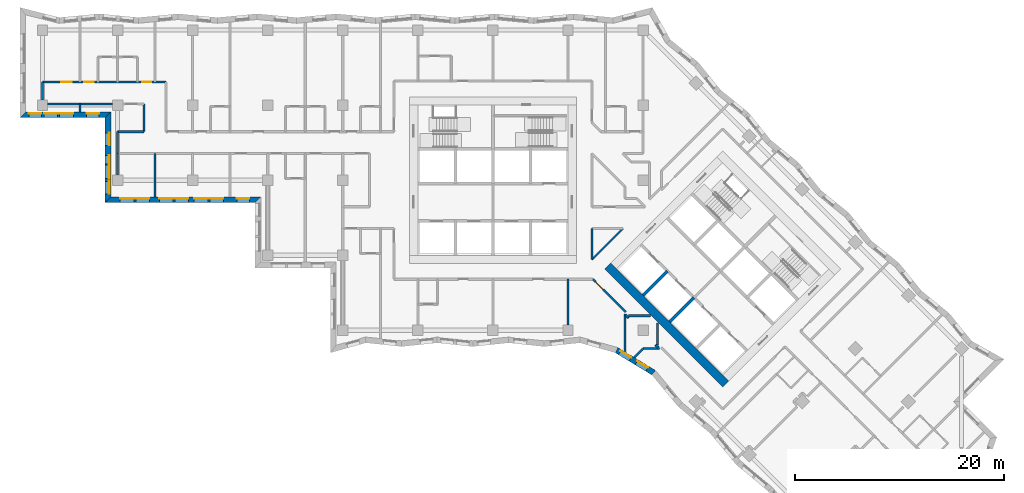
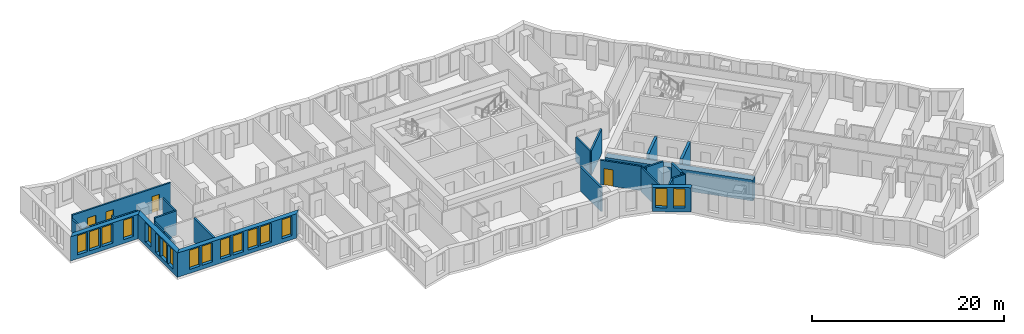
# One storey, part 3 of 12: 27 walls, 17 windows, 4 doors, 21 openings.
"""IFC4 building model written with IfcOpenShell, lengths in metres."""

import ifcopenshell
import ifcopenshell.guid

model = None  # the IFC model being written
_history = None  # IfcOwnerHistory: only IFC2X3 demands one
_inside = {}  # id of a spatial element -> (the spatial element, [elements in it])
_under = {}  # id of a project, library or spatial element -> (it, [spatial elements below it])
_declared = {}  # id of a project -> (the project, [libraries it declares])
_typed = {}  # id of a type object -> (the type object, [elements of that type])
_made_of = {}  # id of a material, layer set ... -> (it, [elements and type objects made of it])


def new_model(schema):
    """Start an empty IFC model of exactly this schema.

    Asked for "IFC4X3", IfcOpenShell would pick the latest addendum, in which some entities
    have other attributes; the version numbers below select the first issue.
    IFC2X3 requires an IfcOwnerHistory on every rooted entity: one is made here for all.
    """
    global model, _history
    if schema == "IFC4X3":
        model = ifcopenshell.file(schema_version=(4, 3, 0, 0))
    else:
        model = ifcopenshell.file(schema=schema)
    _inside.clear()
    _under.clear()
    _declared.clear()
    _typed.clear()
    _made_of.clear()
    _history = None
    if model.schema == "IFC2X3":
        org = make("IfcOrganization", Name="unknown")
        user = make(
            "IfcPersonAndOrganization",
            ThePerson=make("IfcPerson", FamilyName="unknown"),
            TheOrganization=org,
        )
        app = make(
            "IfcApplication",
            ApplicationDeveloper=org,
            Version="unknown",
            ApplicationFullName="unknown",
            ApplicationIdentifier="unknown",
        )
        _history = make(
            "IfcOwnerHistory",
            OwningUser=user,
            OwningApplication=app,
            ChangeAction="ADDED",
            CreationDate=0,
        )
    return model


def make(cls, **values):
    """One entity of the class cls with the attributes given. An attribute that is None is left unset."""
    return model.create_entity(
        cls, **{name: value for name, value in values.items() if value is not None}
    )


def rooted(cls, **values):
    """An entity with a GlobalId (a new one), such as an element, a storey or a relation."""
    return make(cls, GlobalId=ifcopenshell.guid.new(), OwnerHistory=_history, **values)


def si_unit(unit_type, name, prefix=None):
    """IfcSIUnit, for example si_unit("LENGTHUNIT", "METRE", prefix="MILLI")."""
    return make("IfcSIUnit", UnitType=unit_type, Prefix=prefix, Name=name)


def assignment(units):
    """IfcUnitAssignment: the units of a project."""
    return None if units is None else make("IfcUnitAssignment", Units=units)


def point(xyz):
    """IfcCartesianPoint."""
    return None if xyz is None else make("IfcCartesianPoint", Coordinates=xyz)


def direction(xyz):
    """IfcDirection."""
    return None if xyz is None else make("IfcDirection", DirectionRatios=xyz)


def frame(location, z_axis=None, x_axis=None):
    """IfcAxis2Placement3D, a coordinate frame: its origin and axes. An axis left out is left unset."""
    return make(
        "IfcAxis2Placement3D",
        Location=point(location),
        Axis=direction(z_axis),
        RefDirection=direction(x_axis),
    )


def frame_2d(location, x_axis=None):
    """IfcAxis2Placement2D, a coordinate frame in the plane: its origin and x axis."""
    return make(
        "IfcAxis2Placement2D", Location=point(location), RefDirection=direction(x_axis)
    )


def origin():
    """The frame at (0, 0, 0) with its axes left unset."""
    return frame((0.0, 0.0, 0.0))


def place(relative_to, where):
    """IfcLocalPlacement: puts the frame where relative to a parent placement (None: the world)."""
    return make(
        "IfcLocalPlacement", PlacementRelTo=relative_to, RelativePlacement=where
    )


def context(
    kind, dimensions, precision=None, world=None, true_north=None, identifier=None
):
    """IfcGeometricRepresentationContext, for example the 3D "Model" context."""
    return make(
        "IfcGeometricRepresentationContext",
        ContextIdentifier=identifier,
        ContextType=kind,
        CoordinateSpaceDimension=dimensions,
        Precision=precision,
        WorldCoordinateSystem=world,
        TrueNorth=true_north,
    )


def subcontext(parent, identifier, kind, view, scale=None):
    """IfcGeometricRepresentationSubContext, for example "Body" below "Model"."""
    return make(
        "IfcGeometricRepresentationSubContext",
        ContextIdentifier=identifier,
        ContextType=kind,
        ParentContext=parent,
        TargetScale=scale,
        TargetView=view,
    )


def project(units=None, contexts=None):
    """IfcProject with its units and contexts."""
    return rooted(
        "IfcProject",
        Name="project",
        RepresentationContexts=contexts,
        UnitsInContext=assignment(units),
    )


def spatial(cls, under=None, at=None, **own):
    """A site, building, storey or space (cls), placed at a placement, below another one or the project."""
    s = rooted(cls, ObjectPlacement=at, **own)
    if under is not None:
        _under.setdefault(under.id(), (under, []))[1].append(s)
    return s


def polyline(points):
    """IfcPolyline through the points."""
    return make("IfcPolyline", Points=[point(p) for p in points])


def profile(cls, at=None, kind="AREA", **sizes):
    """A parametric profile (cls). Its sizes go by their IFC names, for example OverallWidth=200.0."""
    return make(cls, ProfileType=kind, Position=at, **sizes)


def rectangle(**sizes):
    """IfcRectangleProfileDef."""
    return profile("IfcRectangleProfileDef", **sizes)


def outline(outer, holes=None, kind="AREA"):
    """IfcArbitraryClosedProfileDef: a profile drawn as a closed curve; with holes, ...WithVoids."""
    if holes is None:
        return make("IfcArbitraryClosedProfileDef", ProfileType=kind, OuterCurve=outer)
    return make(
        "IfcArbitraryProfileDefWithVoids",
        ProfileType=kind,
        OuterCurve=outer,
        InnerCurves=holes,
    )


def extrude(swept, where, along, depth):
    """IfcExtrudedAreaSolid: the profile swept, set in the frame where, extruded along a direction by depth."""
    return make(
        "IfcExtrudedAreaSolid",
        SweptArea=swept,
        Position=where,
        ExtrudedDirection=direction(along),
        Depth=depth,
    )


def shape(context_of_items, identifier, shape_type, items):
    """IfcShapeRepresentation: the items that make up one representation, for example the "Body"."""
    return make(
        "IfcShapeRepresentation",
        ContextOfItems=context_of_items,
        RepresentationIdentifier=identifier,
        RepresentationType=shape_type,
        Items=items,
    )


def material(Name=None, Category=None):
    """IfcMaterial."""
    return make("IfcMaterial", Name=Name, Category=Category)


def layer(
    of_material, thickness, ventilated=None, Name=None, Category=None, Priority=None
):
    """IfcMaterialLayer: one layer of a wall or slab, of a material (None: an air gap)."""
    return make(
        "IfcMaterialLayer",
        Material=of_material,
        LayerThickness=thickness,
        IsVentilated=ventilated,
        Name=Name,
        Category=Category,
        Priority=Priority,
    )


def layer_set(layers, Name=None):
    """IfcMaterialLayerSet."""
    return make("IfcMaterialLayerSet", MaterialLayers=layers, LayerSetName=Name)


def made_of(thing, what):
    """Note that an element or type object is made of a material, layer set ...; save() writes the relation."""
    if what is not None:
        _made_of.setdefault(what.id(), (what, []))[1].append(thing)
    return thing


def type_object(cls, material=None, **own):
    """A type object (cls), such as IfcWallType, which elements share."""
    return made_of(rooted(cls, **own), material)


def element(
    cls,
    number,
    at=None,
    inside=None,
    cuts=None,
    type_object=None,
    material=None,
    context=None,
    identifier="Body",
    shape_type=None,
    held_by="IfcProductDefinitionShape",
    body=None,
    shapes=None,
    **own,
):
    """One element of the class cls, such as IfcWall. Its Tag is "e" and its number.

    at: its placement. inside: the storey or other place that contains it. cuts: it is an
    opening in that element (IfcRelVoidsElement). A single representation is given by context,
    identifier, shape_type and body (its items); several are given by shapes. held_by: the class
    of the entity that holds the representations. save() writes the other relations.
    """
    e = rooted(cls, Tag="e%d" % number, ObjectPlacement=at, **own)
    if body is not None:
        shapes = [shape(context, identifier, shape_type, body)]
    if shapes is not None:
        e.Representation = make(held_by, Representations=shapes)
    if inside is not None:
        _inside.setdefault(inside.id(), (inside, []))[1].append(e)
    if cuts is not None:
        rooted(
            "IfcRelVoidsElement", RelatingBuildingElement=cuts, RelatedOpeningElement=e
        )
    if type_object is not None:
        _typed.setdefault(type_object.id(), (type_object, []))[1].append(e)
    return made_of(e, material)


def fill(opening, filler):
    """IfcRelFillsElement: the door or window that sits in an opening."""
    return rooted(
        "IfcRelFillsElement",
        RelatingOpeningElement=opening,
        RelatedBuildingElement=filler,
    )


def aggregate(whole, parts):
    """IfcRelAggregates: a whole, such as a stair, and the parts it consists of."""
    return rooted("IfcRelAggregates", RelatingObject=whole, RelatedObjects=parts)


def save(model, path):
    """Write the relations noted so far, then the file.

    IfcRelAggregates (storeys below a building ...), IfcRelContainedInSpatialStructure (elements
    in a storey), IfcRelDefinesByType, IfcRelAssociatesMaterial and IfcRelDeclares: one each for
    every whole, place, type object, material and project.
    """
    for whole, parts in _under.values():
        aggregate(whole, parts)
    for where, things in _inside.values():
        rooted(
            "IfcRelContainedInSpatialStructure",
            RelatedElements=things,
            RelatingStructure=where,
        )
    for kind, things in _typed.values():
        rooted("IfcRelDefinesByType", RelatedObjects=things, RelatingType=kind)
    for what, things in _made_of.values():
        rooted("IfcRelAssociatesMaterial", RelatedObjects=things, RelatingMaterial=what)
    for by, libraries in _declared.values():
        rooted("IfcRelDeclares", RelatingContext=by, RelatedDefinitions=libraries)
    model.write(path)


model = new_model("IFC4")

# Units and contexts
model_context = context("Model", 3, precision=1e-05, world=origin(), true_north=direction((0.0, 1.0)))
body_context = subcontext(model_context, "Body", "Model", "MODEL_VIEW")
ifc_project = project(units=[si_unit("LENGTHUNIT", "METRE"), si_unit("AREAUNIT", "SQUARE_METRE"), si_unit("VOLUMEUNIT", "CUBIC_METRE"), si_unit("PLANEANGLEUNIT", "RADIAN"), si_unit("MASSUNIT", "GRAM", prefix="KILO")], contexts=[model_context])

# Site, building, storey
site_placement = place(None, origin())
site = spatial("IfcSite", under=ifc_project, at=site_placement, CompositionType="ELEMENT")
building_placement = place(site_placement, origin())
building = spatial("IfcBuilding", under=site, at=building_placement, Name="Windrow Commons", CompositionType="ELEMENT")
storey_placement = place(building_placement, frame((0.0, 0.0, 88.0)))
storey = spatial("IfcBuildingStorey", under=building, at=storey_placement, Name="L23", CompositionType="ELEMENT", Elevation=88.0)

# Wall, openings, windows
ifc_material_1 = material(Name="Brick masonry, red clay brick", Category="masonry")
ifc_layer_1 = layer(ifc_material_1, 0.55)
ifc_layer_set_1 = layer_set([ifc_layer_1], Name="Brick facade wall 550")
wall_type_1 = type_object("IfcWallType", Name="Brick facade wall 550", PredefinedType="SOLIDWALL", material=ifc_layer_set_1)
wall_1_placement = place(storey_placement, frame((19.714, 63.875, 0.0), z_axis=(0.0, 0.0, 1.0), x_axis=(1.0, 0.0, 0.0)))
wall_1 = element("IfcWall", 1, at=wall_1_placement, inside=storey, type_object=wall_type_1, Name="Brick facade wall L23 38", PredefinedType="SOLIDWALL", context=body_context, shape_type="SweptSolid", body=[
    extrude(outline(polyline([(-0.275, -0.275), (7.886, -0.275), (8.436, 0.275), (0.275, 0.275), (-0.275, -0.275)])), origin(), (0.0, 0.0, 1.0), 3.1),
])
opening_1_placement = place(wall_1_placement, frame((2.036, 0.0, 0.5)))
opening_1 = element("IfcOpeningElement", 2, at=opening_1_placement, cuts=wall_1, Name="Opening W1P", PredefinedType="OPENING", context=body_context, shape_type="SweptSolid", body=[
    extrude(rectangle(XDim=1.3, YDim=2.45, at=frame_2d((0.65, 1.225))), frame((0.0, 0.285, 0.0), z_axis=(0.0, -1.0, 0.0), x_axis=(1.0, 0.0, 0.0)), (0.0, 0.0, 1.0), 0.57),
])
opening_2_placement = place(wall_1_placement, frame((3.536, 0.0, 0.5)))
opening_2 = element("IfcOpeningElement", 3, at=opening_2_placement, cuts=wall_1, Name="Opening W1P", PredefinedType="OPENING", context=body_context, shape_type="SweptSolid", body=[
    extrude(rectangle(XDim=1.3, YDim=2.45, at=frame_2d((0.65, 1.225))), frame((0.0, 0.285, 0.0), z_axis=(0.0, -1.0, 0.0), x_axis=(1.0, 0.0, 0.0)), (0.0, 0.0, 1.0), 0.57),
])
opening_3_placement = place(wall_1_placement, frame((0.5805, 0.0, 0.5)))
opening_3 = element("IfcOpeningElement", 4, at=opening_3_placement, cuts=wall_1, Name="Opening W7D", PredefinedType="OPENING", context=body_context, shape_type="SweptSolid", body=[
    extrude(rectangle(XDim=1.2, YDim=2.45, at=frame_2d((0.6, 1.225))), frame((0.0, 0.285, 0.0), z_axis=(0.0, -1.0, 0.0), x_axis=(1.0, 0.0, 0.0)), (0.0, 0.0, 1.0), 0.57),
])
opening_4_placement = place(wall_1_placement, frame((6.1235, 0.0, 0.5)))
opening_4 = element("IfcOpeningElement", 5, at=opening_4_placement, cuts=wall_1, Name="Opening W7D", PredefinedType="OPENING", context=body_context, shape_type="SweptSolid", body=[
    extrude(rectangle(XDim=1.2, YDim=2.45, at=frame_2d((0.6, 1.225))), frame((0.0, 0.285, 0.0), z_axis=(0.0, -1.0, 0.0), x_axis=(1.0, 0.0, 0.0)), (0.0, 0.0, 1.0), 0.57),
])
ifc_material_2 = material(Name="Clear float glass in anodised aluminium frame", Category="aluminium")
window_type_1 = type_object("IfcWindowType", Name="Window W1P pair 1300x2450", PartitioningType="SINGLE_PANEL", PredefinedType="WINDOW", material=ifc_material_2)
window_1_placement = place(opening_1_placement, origin())
window_1 = element("IfcWindow", 6, at=window_1_placement, inside=storey, type_object=window_type_1, Name="Window L23 38.1A", OverallHeight=2.45, OverallWidth=1.3, PartitioningType="SINGLE_PANEL", PredefinedType="WINDOW", context=body_context, shape_type="SweptSolid", body=[
    extrude(rectangle(XDim=1.3, YDim=2.45, at=frame_2d((0.65, 1.225))), frame((0.0, 0.155, 0.0), z_axis=(0.0, -1.0, 0.0), x_axis=(1.0, 0.0, 0.0)), (0.0, 0.0, 1.0), 0.06),
])
fill(opening_1, window_1)
window_2_placement = place(opening_2_placement, origin())
window_2 = element("IfcWindow", 7, at=window_2_placement, inside=storey, type_object=window_type_1, Name="Window L23 38.1B", OverallHeight=2.45, OverallWidth=1.3, PartitioningType="SINGLE_PANEL", PredefinedType="WINDOW", context=body_context, shape_type="SweptSolid", body=[
    extrude(rectangle(XDim=1.3, YDim=2.45, at=frame_2d((0.65, 1.225))), frame((0.0, 0.155, 0.0), z_axis=(0.0, -1.0, 0.0), x_axis=(1.0, 0.0, 0.0)), (0.0, 0.0, 1.0), 0.06),
])
fill(opening_2, window_2)
ifc_material_3 = material(Name="Clear float glass in anodised aluminium frame", Category="aluminium")
window_type_2 = type_object("IfcWindowType", Name="Window W7 notch 1200x2450", PartitioningType="SINGLE_PANEL", PredefinedType="WINDOW", material=ifc_material_3)
window_3_placement = place(opening_3_placement, origin())
window_3 = element("IfcWindow", 8, at=window_3_placement, inside=storey, type_object=window_type_2, Name="Window L23 38.2", OverallHeight=2.45, OverallWidth=1.2, PartitioningType="SINGLE_PANEL", PredefinedType="WINDOW", context=body_context, shape_type="SweptSolid", body=[
    extrude(rectangle(XDim=1.2, YDim=2.45, at=frame_2d((0.6, 1.225))), frame((0.0, 0.155, 0.0), z_axis=(0.0, -1.0, 0.0), x_axis=(1.0, 0.0, 0.0)), (0.0, 0.0, 1.0), 0.06),
])
fill(opening_3, window_3)
window_4_placement = place(opening_4_placement, origin())
window_4 = element("IfcWindow", 9, at=window_4_placement, inside=storey, type_object=window_type_2, Name="Window L23 38.3", OverallHeight=2.45, OverallWidth=1.2, PartitioningType="SINGLE_PANEL", PredefinedType="WINDOW", context=body_context, shape_type="SweptSolid", body=[
    extrude(rectangle(XDim=1.2, YDim=2.45, at=frame_2d((0.6, 1.225))), frame((0.0, 0.155, 0.0), z_axis=(0.0, -1.0, 0.0), x_axis=(1.0, 0.0, 0.0)), (0.0, 0.0, 1.0), 0.06),
])
fill(opening_4, window_4)

wall_2_placement = place(storey_placement, frame((27.875, 63.875, 0.0), z_axis=(0.0, 0.0, 1.0), x_axis=(0.0, -1.0, 0.0)))
wall_2 = element("IfcWall", 10, at=wall_2_placement, inside=storey, type_object=wall_type_1, Name="Brick facade wall L23 39", PredefinedType="SOLIDWALL", context=body_context, shape_type="SweptSolid", body=[
    extrude(outline(polyline([(0.275, -0.275), (8.436, -0.275), (7.886, 0.275), (-0.275, 0.275), (0.275, -0.275)])), origin(), (0.0, 0.0, 1.0), 3.1),
])
opening_5_placement = place(wall_2_placement, frame((4.825, 0.0, 0.5)))
opening_5 = element("IfcOpeningElement", 11, at=opening_5_placement, cuts=wall_2, Name="Opening W1P", PredefinedType="OPENING", context=body_context, shape_type="SweptSolid", body=[
    extrude(rectangle(XDim=1.3, YDim=2.45, at=frame_2d((0.65, 1.225))), frame((0.0, 0.285, 0.0), z_axis=(0.0, -1.0, 0.0), x_axis=(1.0, 0.0, 0.0)), (0.0, 0.0, 1.0), 0.57),
])
opening_6_placement = place(wall_2_placement, frame((1.7375, 0.0, 0.5)))
opening_6 = element("IfcOpeningElement", 12, at=opening_6_placement, cuts=wall_2, Name="Opening W7D", PredefinedType="OPENING", context=body_context, shape_type="SweptSolid", body=[
    extrude(rectangle(XDim=1.2, YDim=2.45, at=frame_2d((0.6, 1.225))), frame((0.0, 0.285, 0.0), z_axis=(0.0, -1.0, 0.0), x_axis=(1.0, 0.0, 0.0)), (0.0, 0.0, 1.0), 0.57),
])
opening_7_placement = place(wall_2_placement, frame((6.3805, 0.0, 0.5)))
opening_7 = element("IfcOpeningElement", 13, at=opening_7_placement, cuts=wall_2, Name="Opening W7D", PredefinedType="OPENING", context=body_context, shape_type="SweptSolid", body=[
    extrude(rectangle(XDim=1.2, YDim=2.45, at=frame_2d((0.6, 1.225))), frame((0.0, 0.285, 0.0), z_axis=(0.0, -1.0, 0.0), x_axis=(1.0, 0.0, 0.0)), (0.0, 0.0, 1.0), 0.57),
])
opening_8_placement = place(wall_2_placement, frame((3.9, 0.0, 0.45)))
opening_8 = element("IfcOpeningElement", 14, at=opening_8_placement, cuts=wall_2, Name="Opening W1N", PredefinedType="OPENING", context=body_context, shape_type="SweptSolid", body=[
    extrude(rectangle(XDim=0.8, YDim=2.5, at=frame_2d((0.4, 1.25))), frame((0.0, 0.285, 0.0), z_axis=(0.0, -1.0, 0.0), x_axis=(1.0, 0.0, 0.0)), (0.0, 0.0, 1.0), 0.57),
])
ifc_material_4 = material(Name="Clear float glass in anodised aluminium frame", Category="aluminium")
window_type_3 = type_object("IfcWindowType", Name="Window W1N slit 800x2500", PartitioningType="SINGLE_PANEL", PredefinedType="WINDOW", material=ifc_material_4)
window_5_placement = place(opening_8_placement, origin())
window_5 = element("IfcWindow", 15, at=window_5_placement, inside=storey, type_object=window_type_3, Name="Window L23 39.1AA", OverallHeight=2.5, OverallWidth=0.8, PartitioningType="SINGLE_PANEL", PredefinedType="WINDOW", context=body_context, shape_type="SweptSolid", body=[
    extrude(rectangle(XDim=0.8, YDim=2.5, at=frame_2d((0.4, 1.25))), frame((0.0, 0.155, 0.0), z_axis=(0.0, -1.0, 0.0), x_axis=(1.0, 0.0, 0.0)), (0.0, 0.0, 1.0), 0.06),
])
fill(opening_8, window_5)
window_6_placement = place(opening_5_placement, origin())
window_6 = element("IfcWindow", 16, at=window_6_placement, inside=storey, type_object=window_type_1, Name="Window L23 39.1B", OverallHeight=2.45, OverallWidth=1.3, PartitioningType="SINGLE_PANEL", PredefinedType="WINDOW", context=body_context, shape_type="SweptSolid", body=[
    extrude(rectangle(XDim=1.3, YDim=2.45, at=frame_2d((0.65, 1.225))), frame((0.0, 0.155, 0.0), z_axis=(0.0, -1.0, 0.0), x_axis=(1.0, 0.0, 0.0)), (0.0, 0.0, 1.0), 0.06),
])
fill(opening_5, window_6)
window_7_placement = place(opening_6_placement, origin())
window_7 = element("IfcWindow", 17, at=window_7_placement, inside=storey, type_object=window_type_2, Name="Window L23 39.2", OverallHeight=2.45, OverallWidth=1.2, PartitioningType="SINGLE_PANEL", PredefinedType="WINDOW", context=body_context, shape_type="SweptSolid", body=[
    extrude(rectangle(XDim=1.2, YDim=2.45, at=frame_2d((0.6, 1.225))), frame((0.0, 0.155, 0.0), z_axis=(0.0, -1.0, 0.0), x_axis=(1.0, 0.0, 0.0)), (0.0, 0.0, 1.0), 0.06),
])
fill(opening_6, window_7)
window_8_placement = place(opening_7_placement, origin())
window_8 = element("IfcWindow", 18, at=window_8_placement, inside=storey, type_object=window_type_2, Name="Window L23 39.3", OverallHeight=2.45, OverallWidth=1.2, PartitioningType="SINGLE_PANEL", PredefinedType="WINDOW", context=body_context, shape_type="SweptSolid", body=[
    extrude(rectangle(XDim=1.2, YDim=2.45, at=frame_2d((0.6, 1.225))), frame((0.0, 0.155, 0.0), z_axis=(0.0, -1.0, 0.0), x_axis=(1.0, 0.0, 0.0)), (0.0, 0.0, 1.0), 0.06),
])
fill(opening_7, window_8)

wall_3_placement = place(storey_placement, frame((27.875, 55.714, 0.0), z_axis=(0.0, 0.0, 1.0), x_axis=(1.0, 0.0, 0.0)))
wall_3 = element("IfcWall", 19, at=wall_3_placement, inside=storey, type_object=wall_type_1, Name="Brick facade wall L23 40", PredefinedType="SOLIDWALL", context=body_context, shape_type="SweptSolid", body=[
    extrude(outline(polyline([(-0.275, -0.275), (14.125, -0.275), (14.675, 0.275), (0.275, 0.275), (-0.275, -0.275)])), origin(), (0.0, 0.0, 1.0), 3.1),
])
opening_9_placement = place(wall_3_placement, frame((1.175, 0.0, 0.5)))
opening_9 = element("IfcOpeningElement", 20, at=opening_9_placement, cuts=wall_3, Name="Opening W1P", PredefinedType="OPENING", context=body_context, shape_type="SweptSolid", body=[
    extrude(rectangle(XDim=1.3, YDim=2.45, at=frame_2d((0.65, 1.225))), frame((0.0, 0.285, 0.0), z_axis=(0.0, -1.0, 0.0), x_axis=(1.0, 0.0, 0.0)), (0.0, 0.0, 1.0), 0.57),
])
opening_10_placement = place(wall_3_placement, frame((2.675, 0.0, 0.5)))
opening_10 = element("IfcOpeningElement", 21, at=opening_10_placement, cuts=wall_3, Name="Opening W1P", PredefinedType="OPENING", context=body_context, shape_type="SweptSolid", body=[
    extrude(rectangle(XDim=1.3, YDim=2.45, at=frame_2d((0.65, 1.225))), frame((0.0, 0.285, 0.0), z_axis=(0.0, -1.0, 0.0), x_axis=(1.0, 0.0, 0.0)), (0.0, 0.0, 1.0), 0.57),
])
opening_11_placement = place(wall_3_placement, frame((4.925, 0.0, 0.5)))
opening_11 = element("IfcOpeningElement", 22, at=opening_11_placement, cuts=wall_3, Name="Opening W1P", PredefinedType="OPENING", context=body_context, shape_type="SweptSolid", body=[
    extrude(rectangle(XDim=1.3, YDim=2.45, at=frame_2d((0.65, 1.225))), frame((0.0, 0.285, 0.0), z_axis=(0.0, -1.0, 0.0), x_axis=(1.0, 0.0, 0.0)), (0.0, 0.0, 1.0), 0.57),
])
opening_12_placement = place(wall_3_placement, frame((6.425, 0.0, 0.5)))
opening_12 = element("IfcOpeningElement", 23, at=opening_12_placement, cuts=wall_3, Name="Opening W1P", PredefinedType="OPENING", context=body_context, shape_type="SweptSolid", body=[
    extrude(rectangle(XDim=1.3, YDim=2.45, at=frame_2d((0.65, 1.225))), frame((0.0, 0.285, 0.0), z_axis=(0.0, -1.0, 0.0), x_axis=(1.0, 0.0, 0.0)), (0.0, 0.0, 1.0), 0.57),
])
opening_13_placement = place(wall_3_placement, frame((8.275, 0.0, 0.5)))
opening_13 = element("IfcOpeningElement", 24, at=opening_13_placement, cuts=wall_3, Name="Opening W1P", PredefinedType="OPENING", context=body_context, shape_type="SweptSolid", body=[
    extrude(rectangle(XDim=1.3, YDim=2.45, at=frame_2d((0.65, 1.225))), frame((0.0, 0.285, 0.0), z_axis=(0.0, -1.0, 0.0), x_axis=(1.0, 0.0, 0.0)), (0.0, 0.0, 1.0), 0.57),
])
opening_14_placement = place(wall_3_placement, frame((9.775, 0.0, 0.5)))
opening_14 = element("IfcOpeningElement", 25, at=opening_14_placement, cuts=wall_3, Name="Opening W1P", PredefinedType="OPENING", context=body_context, shape_type="SweptSolid", body=[
    extrude(rectangle(XDim=1.3, YDim=2.45, at=frame_2d((0.65, 1.225))), frame((0.0, 0.285, 0.0), z_axis=(0.0, -1.0, 0.0), x_axis=(1.0, 0.0, 0.0)), (0.0, 0.0, 1.0), 0.57),
])
opening_15_placement = place(wall_3_placement, frame((12.3625, 0.0, 0.5)))
opening_15 = element("IfcOpeningElement", 26, at=opening_15_placement, cuts=wall_3, Name="Opening W7D", PredefinedType="OPENING", context=body_context, shape_type="SweptSolid", body=[
    extrude(rectangle(XDim=1.2, YDim=2.45, at=frame_2d((0.6, 1.225))), frame((0.0, 0.285, 0.0), z_axis=(0.0, -1.0, 0.0), x_axis=(1.0, 0.0, 0.0)), (0.0, 0.0, 1.0), 0.57),
])
window_9_placement = place(opening_9_placement, origin())
window_9 = element("IfcWindow", 27, at=window_9_placement, inside=storey, type_object=window_type_1, Name="Window L23 40.1A", OverallHeight=2.45, OverallWidth=1.3, PartitioningType="SINGLE_PANEL", PredefinedType="WINDOW", context=body_context, shape_type="SweptSolid", body=[
    extrude(rectangle(XDim=1.3, YDim=2.45, at=frame_2d((0.65, 1.225))), frame((0.0, 0.155, 0.0), z_axis=(0.0, -1.0, 0.0), x_axis=(1.0, 0.0, 0.0)), (0.0, 0.0, 1.0), 0.06),
])
fill(opening_9, window_9)
window_10_placement = place(opening_10_placement, origin())
window_10 = element("IfcWindow", 28, at=window_10_placement, inside=storey, type_object=window_type_1, Name="Window L23 40.1B", OverallHeight=2.45, OverallWidth=1.3, PartitioningType="SINGLE_PANEL", PredefinedType="WINDOW", context=body_context, shape_type="SweptSolid", body=[
    extrude(rectangle(XDim=1.3, YDim=2.45, at=frame_2d((0.65, 1.225))), frame((0.0, 0.155, 0.0), z_axis=(0.0, -1.0, 0.0), x_axis=(1.0, 0.0, 0.0)), (0.0, 0.0, 1.0), 0.06),
])
fill(opening_10, window_10)
window_11_placement = place(opening_11_placement, origin())
window_11 = element("IfcWindow", 29, at=window_11_placement, inside=storey, type_object=window_type_1, Name="Window L23 40.2A", OverallHeight=2.45, OverallWidth=1.3, PartitioningType="SINGLE_PANEL", PredefinedType="WINDOW", context=body_context, shape_type="SweptSolid", body=[
    extrude(rectangle(XDim=1.3, YDim=2.45, at=frame_2d((0.65, 1.225))), frame((0.0, 0.155, 0.0), z_axis=(0.0, -1.0, 0.0), x_axis=(1.0, 0.0, 0.0)), (0.0, 0.0, 1.0), 0.06),
])
fill(opening_11, window_11)
window_12_placement = place(opening_12_placement, origin())
window_12 = element("IfcWindow", 30, at=window_12_placement, inside=storey, type_object=window_type_1, Name="Window L23 40.2B", OverallHeight=2.45, OverallWidth=1.3, PartitioningType="SINGLE_PANEL", PredefinedType="WINDOW", context=body_context, shape_type="SweptSolid", body=[
    extrude(rectangle(XDim=1.3, YDim=2.45, at=frame_2d((0.65, 1.225))), frame((0.0, 0.155, 0.0), z_axis=(0.0, -1.0, 0.0), x_axis=(1.0, 0.0, 0.0)), (0.0, 0.0, 1.0), 0.06),
])
fill(opening_12, window_12)
window_13_placement = place(opening_13_placement, origin())
window_13 = element("IfcWindow", 31, at=window_13_placement, inside=storey, type_object=window_type_1, Name="Window L23 40.3A", OverallHeight=2.45, OverallWidth=1.3, PartitioningType="SINGLE_PANEL", PredefinedType="WINDOW", context=body_context, shape_type="SweptSolid", body=[
    extrude(rectangle(XDim=1.3, YDim=2.45, at=frame_2d((0.65, 1.225))), frame((0.0, 0.155, 0.0), z_axis=(0.0, -1.0, 0.0), x_axis=(1.0, 0.0, 0.0)), (0.0, 0.0, 1.0), 0.06),
])
fill(opening_13, window_13)
window_14_placement = place(opening_14_placement, origin())
window_14 = element("IfcWindow", 32, at=window_14_placement, inside=storey, type_object=window_type_1, Name="Window L23 40.3B", OverallHeight=2.45, OverallWidth=1.3, PartitioningType="SINGLE_PANEL", PredefinedType="WINDOW", context=body_context, shape_type="SweptSolid", body=[
    extrude(rectangle(XDim=1.3, YDim=2.45, at=frame_2d((0.65, 1.225))), frame((0.0, 0.155, 0.0), z_axis=(0.0, -1.0, 0.0), x_axis=(1.0, 0.0, 0.0)), (0.0, 0.0, 1.0), 0.06),
])
fill(opening_14, window_14)
window_15_placement = place(opening_15_placement, origin())
window_15 = element("IfcWindow", 33, at=window_15_placement, inside=storey, type_object=window_type_2, Name="Window L23 40.4", OverallHeight=2.45, OverallWidth=1.2, PartitioningType="SINGLE_PANEL", PredefinedType="WINDOW", context=body_context, shape_type="SweptSolid", body=[
    extrude(rectangle(XDim=1.2, YDim=2.45, at=frame_2d((0.6, 1.225))), frame((0.0, 0.155, 0.0), z_axis=(0.0, -1.0, 0.0), x_axis=(1.0, 0.0, 0.0)), (0.0, 0.0, 1.0), 0.06),
])
fill(opening_15, window_15)

wall_4_placement = place(storey_placement, frame((76.6686, 41.2935, 0.0), z_axis=(0.0, 0.0, 1.0), x_axis=(0.8543182431, -0.5197502664, 0.0)))
wall_4 = element("IfcWall", 34, at=wall_4_placement, inside=storey, type_object=wall_type_1, Name="Brick facade wall L23 52", PredefinedType="SOLIDWALL", context=body_context, shape_type="SweptSolid", body=[
    extrude(outline(polyline([(0.0377, -0.275), (4.1, -0.275), (4.1916, 0.275), (-0.0377, 0.275), (0.0377, -0.275)])), origin(), (0.0, 0.0, 1.0), 3.1),
])
opening_16_placement = place(wall_4_placement, frame((0.3631, 0.0, 0.5)))
opening_16 = element("IfcOpeningElement", 35, at=opening_16_placement, cuts=wall_4, Name="Opening W7D", PredefinedType="OPENING", context=body_context, shape_type="SweptSolid", body=[
    extrude(rectangle(XDim=1.2, YDim=2.45, at=frame_2d((0.6, 1.225))), frame((0.0, 0.285, 0.0), z_axis=(0.0, -1.0, 0.0), x_axis=(1.0, 0.0, 0.0)), (0.0, 0.0, 1.0), 0.57),
])
opening_17_placement = place(wall_4_placement, frame((2.236, 0.0, 0.5)))
opening_17 = element("IfcOpeningElement", 36, at=opening_17_placement, cuts=wall_4, Name="Opening W7D", PredefinedType="OPENING", context=body_context, shape_type="SweptSolid", body=[
    extrude(rectangle(XDim=1.2, YDim=2.45, at=frame_2d((0.6, 1.225))), frame((0.0, 0.285, 0.0), z_axis=(0.0, -1.0, 0.0), x_axis=(1.0, 0.0, 0.0)), (0.0, 0.0, 1.0), 0.57),
])
window_16_placement = place(opening_16_placement, origin())
window_16 = element("IfcWindow", 37, at=window_16_placement, inside=storey, type_object=window_type_2, Name="Window L23 52.1", OverallHeight=2.45, OverallWidth=1.2, PartitioningType="SINGLE_PANEL", PredefinedType="WINDOW", context=body_context, shape_type="SweptSolid", body=[
    extrude(rectangle(XDim=1.2, YDim=2.45, at=frame_2d((0.6, 1.225))), frame((0.0, 0.155, 0.0), z_axis=(0.0, -1.0, 0.0), x_axis=(1.0, 0.0, 0.0)), (0.0, 0.0, 1.0), 0.06),
])
fill(opening_16, window_16)
window_17_placement = place(opening_17_placement, origin())
window_17 = element("IfcWindow", 38, at=window_17_placement, inside=storey, type_object=window_type_2, Name="Window L23 52.2", OverallHeight=2.45, OverallWidth=1.2, PartitioningType="SINGLE_PANEL", PredefinedType="WINDOW", context=body_context, shape_type="SweptSolid", body=[
    extrude(rectangle(XDim=1.2, YDim=2.45, at=frame_2d((0.6, 1.225))), frame((0.0, 0.155, 0.0), z_axis=(0.0, -1.0, 0.0), x_axis=(1.0, 0.0, 0.0)), (0.0, 0.0, 1.0), 0.06),
])
fill(opening_17, window_17)

# Wall, openings, doors
ifc_material_5 = material(Name="Blockwork partition", Category="masonry")
ifc_layer_2 = layer(ifc_material_5, 0.2)
ifc_layer_set_2 = layer_set([ifc_layer_2], Name="IW-CORRIDOR-200")
wall_type_2 = type_object("IfcWallType", Name="IW-CORRIDOR-200", PredefinedType="PARTITIONING", material=ifc_layer_set_2)
wall_5_placement = place(storey_placement, frame((21.602, 67.0, 0.0), z_axis=(0.0, 0.0, 1.0), x_axis=(1.0, 0.0, 0.0)))
wall_5 = element("IfcWall", 39, at=wall_5_placement, inside=storey, type_object=wall_type_2, Name="W-L23-W005", PredefinedType="PARTITIONING", context=body_context, shape_type="SweptSolid", body=[
    extrude(rectangle(XDim=11.848, YDim=0.2, at=frame_2d((5.924, 0.0))), origin(), (0.0, 0.0, 1.0), 3.1),
])
opening_18_placement = place(wall_5_placement, frame((1.7907, 0.0, 0.0)))
opening_18 = element("IfcOpeningElement", 40, at=opening_18_placement, cuts=wall_5, Name="Opening D310F", PredefinedType="OPENING", context=body_context, shape_type="SweptSolid", body=[
    extrude(rectangle(XDim=1.0, YDim=2.1, at=frame_2d((0.5, 1.05))), frame((0.0, 0.11, 0.0), z_axis=(0.0, -1.0, 0.0), x_axis=(1.0, 0.0, 0.0)), (0.0, 0.0, 1.0), 0.22),
])
opening_19_placement = place(wall_5_placement, frame((3.998, 0.0, 0.0)))
opening_19 = element("IfcOpeningElement", 41, at=opening_19_placement, cuts=wall_5, Name="Opening D109S", PredefinedType="OPENING", context=body_context, shape_type="SweptSolid", body=[
    extrude(rectangle(XDim=0.9, YDim=2.1, at=frame_2d((0.45, 1.05))), frame((0.0, 0.11, 0.0), z_axis=(0.0, -1.0, 0.0), x_axis=(1.0, 0.0, 0.0)), (0.0, 0.0, 1.0), 0.22),
])
opening_20_placement = place(wall_5_placement, frame((9.548, 0.0, 0.0)))
opening_20 = element("IfcOpeningElement", 42, at=opening_20_placement, cuts=wall_5, Name="Opening D109S", PredefinedType="OPENING", context=body_context, shape_type="SweptSolid", body=[
    extrude(rectangle(XDim=0.9, YDim=2.1, at=frame_2d((0.45, 1.05))), frame((0.0, 0.11, 0.0), z_axis=(0.0, -1.0, 0.0), x_axis=(1.0, 0.0, 0.0)), (0.0, 0.0, 1.0), 0.22),
])
ifc_material_6 = material(Name="Timber door leaf", Category="wood")
door_type_1 = type_object("IfcDoorType", Name="DT-AMENITY-1000", OperationType="SINGLE_SWING_LEFT", PredefinedType="DOOR", material=ifc_material_6)
door_1_placement = place(opening_18_placement, origin())
door_1 = element("IfcDoor", 43, at=door_1_placement, inside=storey, type_object=door_type_1, Name="D-L23-D000", OperationType="SINGLE_SWING_RIGHT", OverallHeight=2.1, OverallWidth=1.0, PredefinedType="DOOR", context=body_context, shape_type="SweptSolid", body=[
    extrude(rectangle(XDim=1.0, YDim=2.1, at=frame_2d((0.5, 1.05))), frame((0.0, 0.025, 0.0), z_axis=(0.0, -1.0, 0.0), x_axis=(1.0, 0.0, 0.0)), (0.0, 0.0, 1.0), 0.05),
])
fill(opening_18, door_1)
ifc_material_7 = material(Name="Timber door leaf", Category="wood")
door_type_2 = type_object("IfcDoorType", Name="DT-BEDROOM-900", OperationType="SINGLE_SWING_LEFT", PredefinedType="DOOR", material=ifc_material_7)
door_2_placement = place(opening_19_placement, origin())
door_2 = element("IfcDoor", 44, at=door_2_placement, inside=storey, type_object=door_type_2, Name="D-L23-D002", OperationType="SINGLE_SWING_LEFT", OverallHeight=2.1, OverallWidth=0.9, PredefinedType="DOOR", context=body_context, shape_type="SweptSolid", body=[
    extrude(rectangle(XDim=0.9, YDim=2.1, at=frame_2d((0.45, 1.05))), frame((0.0, 0.025, 0.0), z_axis=(0.0, -1.0, 0.0), x_axis=(1.0, 0.0, 0.0)), (0.0, 0.0, 1.0), 0.05),
])
fill(opening_19, door_2)
door_3_placement = place(opening_20_placement, origin())
door_3 = element("IfcDoor", 45, at=door_3_placement, inside=storey, type_object=door_type_2, Name="D-L23-D004", OperationType="SINGLE_SWING_RIGHT", OverallHeight=2.1, OverallWidth=0.9, PredefinedType="DOOR", context=body_context, shape_type="SweptSolid", body=[
    extrude(rectangle(XDim=0.9, YDim=2.1, at=frame_2d((0.45, 1.05))), frame((0.0, 0.025, 0.0), z_axis=(0.0, -1.0, 0.0), x_axis=(1.0, 0.0, 0.0)), (0.0, 0.0, 1.0), 0.05),
])
fill(opening_20, door_3)

# Wall
wall_6_placement = place(storey_placement, frame((22.1, 64.9, 0.0), z_axis=(0.0, 0.0, 1.0), x_axis=(1.0, 0.0, 0.0)))
element("IfcWall", 46, at=wall_6_placement, inside=storey, type_object=wall_type_2, Name="W-L23-W027", PredefinedType="PARTITIONING", context=body_context, shape_type="SweptSolid", body=[
    extrude(rectangle(XDim=6.2, YDim=0.2, at=frame_2d((3.1, 0.0))), origin(), (0.0, 0.0, 1.0), 2.6),
])

# Wall, opening, door
wall_7_placement = place(storey_placement, frame((74.3885, 48.0965, 0.0), z_axis=(0.0, 0.0, 1.0), x_axis=(0.7071067812, -0.7071067812, 0.0)))
wall_7 = element("IfcWall", 47, at=wall_7_placement, inside=storey, type_object=wall_type_2, Name="W-L23-W043", PredefinedType="PARTITIONING", context=body_context, shape_type="SweptSolid", body=[
    extrude(rectangle(XDim=4.4519, YDim=0.2, at=frame_2d((2.226, 0.0))), origin(), (0.0, 0.0, 1.0), 3.1),
])
opening_21_placement = place(wall_7_placement, frame((0.3818, 0.0, 0.0)))
opening_21 = element("IfcOpeningElement", 48, at=opening_21_placement, cuts=wall_7, Name="Opening D310F", PredefinedType="OPENING", context=body_context, shape_type="SweptSolid", body=[
    extrude(rectangle(XDim=1.0, YDim=2.1, at=frame_2d((0.5, 1.05))), frame((0.0, 0.11, 0.0), z_axis=(0.0, -1.0, 0.0), x_axis=(1.0, 0.0, 0.0)), (0.0, 0.0, 1.0), 0.22),
])
door_4_placement = place(opening_21_placement, origin())
door_4 = element("IfcDoor", 49, at=door_4_placement, inside=storey, type_object=door_type_1, Name="D-L23-D037", OperationType="SINGLE_SWING_LEFT", OverallHeight=2.1, OverallWidth=1.0, PredefinedType="DOOR", context=body_context, shape_type="SweptSolid", body=[
    extrude(rectangle(XDim=1.0, YDim=2.1, at=frame_2d((0.5, 1.05))), frame((0.0, 0.025, 0.0), z_axis=(0.0, -1.0, 0.0), x_axis=(1.0, 0.0, 0.0)), (0.0, 0.0, 1.0), 0.05),
])
fill(opening_21, door_4)

# Walls
wall_8_placement = place(storey_placement, frame((74.3012, 49.9908, 0.0), z_axis=(0.0, 0.0, 1.0), x_axis=(0.7071067812, 0.7071067812, 0.0)))
element("IfcWall", 50, at=wall_8_placement, inside=storey, type_object=wall_type_2, Name="W-L23-W049", PredefinedType="PARTITIONING", context=body_context, shape_type="SweptSolid", body=[
    extrude(rectangle(XDim=4.1832, YDim=0.2, at=frame_2d((2.0916, 0.0))), origin(), (0.0, 0.0, 1.0), 3.1),
])
wall_9_placement = place(storey_placement, frame((74.3, 49.99, 0.0), z_axis=(0.0, 0.0, 1.0), x_axis=(0.0, 1.0, 0.0)))
element("IfcWall", 51, at=wall_9_placement, inside=storey, type_object=wall_type_2, Name="W-L23-W064", PredefinedType="PARTITIONING", context=body_context, shape_type="SweptSolid", body=[
    extrude(rectangle(XDim=2.96, YDim=0.2, at=frame_2d((1.48, 0.0))), origin(), (0.0, 0.0, 1.0), 3.1),
])
wall_10_placement = place(storey_placement, frame((31.35, 62.252, 0.0), z_axis=(0.0, 0.0, 1.0), x_axis=(0.0, 1.0, 0.0)))
element("IfcWall", 52, at=wall_10_placement, inside=storey, type_object=wall_type_2, Name="W-L23-W066", PredefinedType="PARTITIONING", context=body_context, shape_type="SweptSolid", body=[
    extrude(rectangle(XDim=2.646, YDim=0.2, at=frame_2d((1.323, 0.0))), origin(), (0.0, 0.0, 1.0), 3.1),
])
wall_11_placement = place(storey_placement, frame((28.802, 62.25, 0.0), z_axis=(0.0, 0.0, 1.0), x_axis=(1.0, 0.0, 0.0)))
element("IfcWall", 53, at=wall_11_placement, inside=storey, type_object=wall_type_2, Name="W-L23-W068", PredefinedType="PARTITIONING", context=body_context, shape_type="SweptSolid", body=[
    extrude(rectangle(XDim=2.546, YDim=0.2, at=frame_2d((1.273, 0.0))), origin(), (0.0, 0.0, 1.0), 3.1),
])
wall_12_placement = place(storey_placement, frame((28.8, 60.15, 0.0), z_axis=(0.0, 0.0, 1.0), x_axis=(0.0, 1.0, 0.0)))
element("IfcWall", 54, at=wall_12_placement, inside=storey, type_object=wall_type_2, Name="W-L23-W102", PredefinedType="PARTITIONING", context=body_context, shape_type="SweptSolid", body=[
    extrude(rectangle(XDim=2.1, YDim=0.2, at=frame_2d((1.05, 0.0))), origin(), (0.0, 0.0, 1.0), 2.6),
])
for number, where, z_axis, x_axis, name in (
    (55, (77.802, 44.6, 0.0), (0.0, 0.0, 1.0), (1.0, 0.0, 0.0), "W-L23-W106"),
    (56, (80.6, 41.802, 0.0), (0.0, 0.0, 1.0), (0.0, 1.0, 0.0), "W-L23-W107"),
):
    element("IfcWall", number, at=place(storey_placement, frame(where, z_axis=z_axis, x_axis=x_axis)), inside=storey, type_object=wall_type_2, Name=name, PredefinedType="PARTITIONING", context=body_context, shape_type="SweptSolid", body=[
        extrude(rectangle(XDim=2.098, YDim=0.2, at=frame_2d((1.049, 0.0))), origin(), (0.0, 0.0, 1.0), 3.1),
    ])
wall_13_placement = place(storey_placement, frame((21.6, 65.3, 0.0), z_axis=(0.0, 0.0, 1.0), x_axis=(0.0, 1.0, 0.0)))
element("IfcWall", 57, at=wall_13_placement, inside=storey, type_object=wall_type_2, Name="W-L23-W141", PredefinedType="PARTITIONING", context=body_context, shape_type="SweptSolid", body=[
    extrude(rectangle(XDim=1.698, YDim=0.2, at=frame_2d((0.849, 0.0))), origin(), (0.0, 0.0, 1.0), 2.6),
])
for number, where, z_axis, x_axis, name in (
    (58, (77.5461, 44.6561, 0.0), (0.0, 0.0, 1.0), (0.7071067812, -0.7071067812, 0.0), "W-L23-W175"),
    (59, (80.4051, 41.7971, 0.0), (0.0, 0.0, 1.0), (0.7071067812, -0.7071067812, 0.0), "W-L23-W176"),
):
    element("IfcWall", number, at=place(storey_placement, frame(where, z_axis=z_axis, x_axis=x_axis)), inside=storey, type_object=wall_type_2, Name=name, PredefinedType="PARTITIONING", context=body_context, shape_type="SweptSolid", body=[
        extrude(rectangle(XDim=0.355, YDim=0.2, at=frame_2d((0.1775, 0.0))), origin(), (0.0, 0.0, 1.0), 3.1),
    ])
ifc_material_8 = material(Name="Blockwork partition", Category="masonry")
ifc_layer_3 = layer(ifc_material_8, 0.2)
ifc_layer_set_3 = layer_set([ifc_layer_3], Name="IW-PARTY-200")
wall_type_3 = type_object("IfcWallType", Name="IW-PARTY-200", PredefinedType="PARTITIONING", material=ifc_layer_set_3)
wall_14_placement = place(storey_placement, frame((72.0, 43.7, 0.0), z_axis=(0.0, 0.0, 1.0), x_axis=(0.0, 1.0, 0.0)))
element("IfcWall", 60, at=wall_14_placement, inside=storey, type_object=wall_type_3, Name="W-L23-W048", PredefinedType="PARTITIONING", context=body_context, shape_type="SweptSolid", body=[
    extrude(rectangle(XDim=4.4, YDim=0.2, at=frame_2d((2.2, 0.0))), origin(), (0.0, 0.0, 1.0), 3.1),
])
wall_15_placement = place(storey_placement, frame((32.4, 55.989, 0.0), z_axis=(0.0, 0.0, 1.0), x_axis=(0.0, 1.0, 0.0)))
element("IfcWall", 61, at=wall_15_placement, inside=storey, type_object=wall_type_3, Name="W-L23-W050", PredefinedType="PARTITIONING", context=body_context, shape_type="SweptSolid", body=[
    extrude(rectangle(XDim=4.161, YDim=0.2, at=frame_2d((2.0805, 0.0))), origin(), (0.0, 0.0, 1.0), 3.1),
])
wall_16_placement = place(storey_placement, frame((77.45, 41.14, 0.0), z_axis=(0.0, 0.0, 1.0), x_axis=(0.0, 1.0, 0.0)))
element("IfcWall", 62, at=wall_16_placement, inside=storey, type_object=wall_type_3, Name="W-L23-W060", PredefinedType="PARTITIONING", context=body_context, shape_type="SweptSolid", body=[
    extrude(rectangle(XDim=3.618, YDim=0.2, at=frame_2d((1.809, 0.0))), origin(), (0.0, 0.0, 1.0), 3.1),
])
wall_17_placement = place(storey_placement, frame((28.8, 58.1, 0.0), z_axis=(0.0, 0.0, 1.0), x_axis=(0.0, 1.0, 0.0)))
element("IfcWall", 63, at=wall_17_placement, inside=storey, type_object=wall_type_3, Name="W-L23-W110", PredefinedType="PARTITIONING", context=body_context, shape_type="SweptSolid", body=[
    extrude(rectangle(XDim=2.05, YDim=0.2, at=frame_2d((1.025, 0.0))), origin(), (0.0, 0.0, 1.0), 2.6),
])
wall_18_placement = place(storey_placement, frame((79.198, 41.45, 0.0), z_axis=(0.0, 0.0, 1.0), x_axis=(1.0, 0.0, 0.0)))
element("IfcWall", 64, at=wall_18_placement, inside=storey, type_object=wall_type_3, Name="W-L23-W143", PredefinedType="PARTITIONING", context=body_context, shape_type="SweptSolid", body=[
    extrude(rectangle(XDim=1.56, YDim=0.2, at=frame_2d((0.78, 0.0))), origin(), (0.0, 0.0, 1.0), 3.1),
])
wall_19_placement = place(storey_placement, frame((78.3424, 40.5971, 0.0), z_axis=(0.0, 0.0, 1.0), x_axis=(0.7071482161, 0.7070653439, 0.0)))
element("IfcWall", 65, at=wall_19_placement, inside=storey, type_object=wall_type_3, Name="W-L23-W149", PredefinedType="PARTITIONING", context=body_context, shape_type="SweptSolid", body=[
    extrude(rectangle(XDim=1.2067, YDim=0.2, at=frame_2d((0.6034, 0.0))), origin(), (0.0, 0.0, 1.0), 3.1),
])
wall_20_placement = place(storey_placement, frame((25.2, 64.15, 0.0), z_axis=(0.0, 0.0, 1.0), x_axis=(0.0, 1.0, 0.0)))
element("IfcWall", 66, at=wall_20_placement, inside=storey, type_object=wall_type_3, Name="W-L23-W157", PredefinedType="PARTITIONING", context=body_context, shape_type="SweptSolid", body=[
    extrude(rectangle(XDim=0.75, YDim=0.2, at=frame_2d((0.375, 0.0))), origin(), (0.0, 0.0, 1.0), 3.1),
])
ifc_material_9 = material(Name="Concrete C50/60", Category="concrete")
ifc_layer_4 = layer(ifc_material_9, 0.8)
ifc_layer_set_4 = layer_set([ifc_layer_4], Name="RC CORE WALL 800 C50/60")
wall_type_4 = type_object("IfcWallType", Name="RC CORE WALL 800 C50/60", PredefinedType="SHEAR", material=ifc_layer_set_4)
wall_21_placement = place(storey_placement, frame((75.8059, 49.3726, -0.3), z_axis=(0.0, 0.0, 1.0), x_axis=(0.7071067812, -0.7071067812, 0.0)))
element("IfcWall", 67, at=wall_21_placement, inside=storey, type_object=wall_type_4, Name="Core B wall outer-S", PredefinedType="SHEAR", context=body_context, shape_type="SweptSolid", body=[
    extrude(rectangle(XDim=16.0, YDim=0.8, at=frame_2d((8.0, 0.0))), origin(), (0.0, 0.0, 1.0), 2.7),
])
ifc_material_10 = material(Name="Concrete C50/60", Category="concrete")
ifc_layer_5 = layer(ifc_material_10, 0.3)
ifc_layer_set_5 = layer_set([ifc_layer_5], Name="RC SHAFT WALL 300 C50/60")
wall_type_5 = type_object("IfcWallType", Name="RC SHAFT WALL 300 C50/60", PredefinedType="SOLIDWALL", material=ifc_layer_set_5)
wall_22_placement = place(storey_placement, frame((79.2, 46.5442, 0.0), z_axis=(0.0, 0.0, 1.0), x_axis=(0.7071219326, 0.7070916295, 0.0)))
element("IfcWall", 68, at=wall_22_placement, inside=storey, type_object=wall_type_5, Name="Core B wall shaft-S1", PredefinedType="SOLIDWALL", context=body_context, shape_type="SweptSolid", body=[
    extrude(rectangle(XDim=3.3, YDim=0.3, at=frame_2d((1.65, 0.0))), origin(), (0.0, 0.0, 1.0), 3.1),
])
wall_23_placement = place(storey_placement, frame((81.7456, 43.9986, 0.0), z_axis=(0.0, 0.0, 1.0), x_axis=(0.7071067812, 0.7071067812, 0.0)))
element("IfcWall", 69, at=wall_23_placement, inside=storey, type_object=wall_type_5, Name="Core B wall shaft-S2", PredefinedType="SOLIDWALL", context=body_context, shape_type="SweptSolid", body=[
    extrude(rectangle(XDim=3.2999, YDim=0.3, at=frame_2d((1.65, 0.0))), origin(), (0.0, 0.0, 1.0), 3.1),
])

save(model, "model.ifc")
